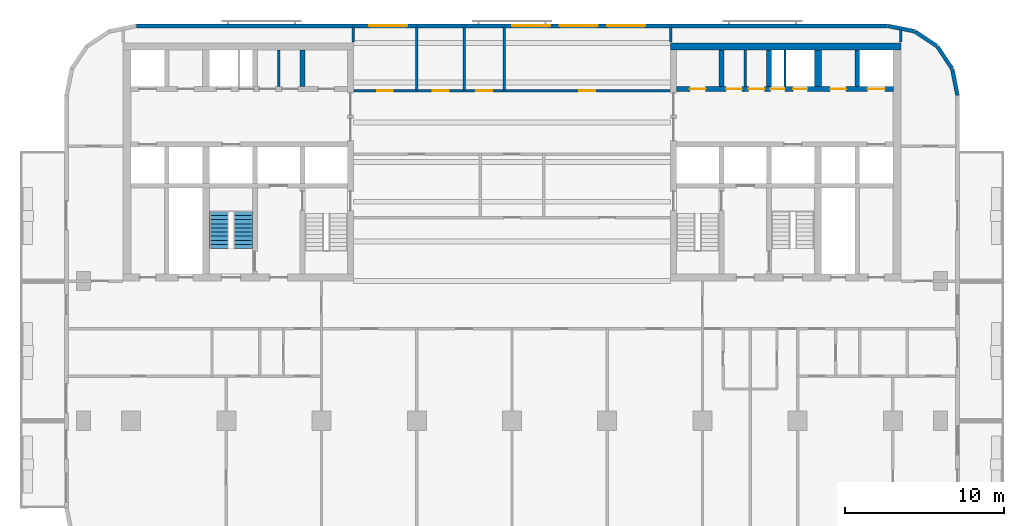
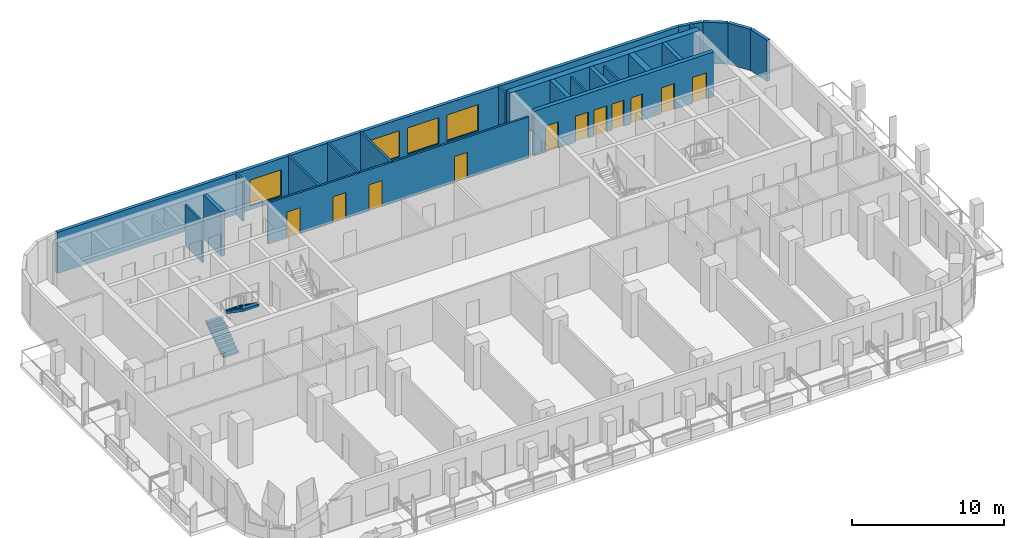
# One storey, part 7 of 11: 22 walls, 11 doors, 4 windows, 2 stair flights, 15 openings, 1 element without a shape of its own.
"""IFC4 building model written with IfcOpenShell, lengths in metres."""

import ifcopenshell
import ifcopenshell.guid

model = None  # the IFC model being written
_history = None  # IfcOwnerHistory: only IFC2X3 demands one
_inside = {}  # id of a spatial element -> (the spatial element, [elements in it])
_under = {}  # id of a project, library or spatial element -> (it, [spatial elements below it])
_declared = {}  # id of a project -> (the project, [libraries it declares])
_typed = {}  # id of a type object -> (the type object, [elements of that type])
_made_of = {}  # id of a material, layer set ... -> (it, [elements and type objects made of it])


def new_model(schema):
    """Start an empty IFC model of exactly this schema.

    Asked for "IFC4X3", IfcOpenShell would pick the latest addendum, in which some entities
    have other attributes; the version numbers below select the first issue.
    IFC2X3 requires an IfcOwnerHistory on every rooted entity: one is made here for all.
    """
    global model, _history
    if schema == "IFC4X3":
        model = ifcopenshell.file(schema_version=(4, 3, 0, 0))
    else:
        model = ifcopenshell.file(schema=schema)
    _inside.clear()
    _under.clear()
    _declared.clear()
    _typed.clear()
    _made_of.clear()
    _history = None
    if model.schema == "IFC2X3":
        org = make("IfcOrganization", Name="unknown")
        user = make(
            "IfcPersonAndOrganization",
            ThePerson=make("IfcPerson", FamilyName="unknown"),
            TheOrganization=org,
        )
        app = make(
            "IfcApplication",
            ApplicationDeveloper=org,
            Version="unknown",
            ApplicationFullName="unknown",
            ApplicationIdentifier="unknown",
        )
        _history = make(
            "IfcOwnerHistory",
            OwningUser=user,
            OwningApplication=app,
            ChangeAction="ADDED",
            CreationDate=0,
        )
    return model


def make(cls, **values):
    """One entity of the class cls with the attributes given. An attribute that is None is left unset."""
    return model.create_entity(
        cls, **{name: value for name, value in values.items() if value is not None}
    )


def rooted(cls, **values):
    """An entity with a GlobalId (a new one), such as an element, a storey or a relation."""
    return make(cls, GlobalId=ifcopenshell.guid.new(), OwnerHistory=_history, **values)


def si_unit(unit_type, name, prefix=None):
    """IfcSIUnit, for example si_unit("LENGTHUNIT", "METRE", prefix="MILLI")."""
    return make("IfcSIUnit", UnitType=unit_type, Prefix=prefix, Name=name)


def assignment(units):
    """IfcUnitAssignment: the units of a project."""
    return None if units is None else make("IfcUnitAssignment", Units=units)


def point(xyz):
    """IfcCartesianPoint."""
    return None if xyz is None else make("IfcCartesianPoint", Coordinates=xyz)


def direction(xyz):
    """IfcDirection."""
    return None if xyz is None else make("IfcDirection", DirectionRatios=xyz)


def frame(location, z_axis=None, x_axis=None):
    """IfcAxis2Placement3D, a coordinate frame: its origin and axes. An axis left out is left unset."""
    return make(
        "IfcAxis2Placement3D",
        Location=point(location),
        Axis=direction(z_axis),
        RefDirection=direction(x_axis),
    )


def frame_2d(location, x_axis=None):
    """IfcAxis2Placement2D, a coordinate frame in the plane: its origin and x axis."""
    return make(
        "IfcAxis2Placement2D", Location=point(location), RefDirection=direction(x_axis)
    )


def origin():
    """The frame at (0, 0, 0) with its axes left unset."""
    return frame((0.0, 0.0, 0.0))


def place(relative_to, where):
    """IfcLocalPlacement: puts the frame where relative to a parent placement (None: the world)."""
    return make(
        "IfcLocalPlacement", PlacementRelTo=relative_to, RelativePlacement=where
    )


def context(
    kind, dimensions, precision=None, world=None, true_north=None, identifier=None
):
    """IfcGeometricRepresentationContext, for example the 3D "Model" context."""
    return make(
        "IfcGeometricRepresentationContext",
        ContextIdentifier=identifier,
        ContextType=kind,
        CoordinateSpaceDimension=dimensions,
        Precision=precision,
        WorldCoordinateSystem=world,
        TrueNorth=true_north,
    )


def subcontext(parent, identifier, kind, view, scale=None):
    """IfcGeometricRepresentationSubContext, for example "Body" below "Model"."""
    return make(
        "IfcGeometricRepresentationSubContext",
        ContextIdentifier=identifier,
        ContextType=kind,
        ParentContext=parent,
        TargetScale=scale,
        TargetView=view,
    )


def project(units=None, contexts=None):
    """IfcProject with its units and contexts."""
    return rooted(
        "IfcProject",
        Name="project",
        RepresentationContexts=contexts,
        UnitsInContext=assignment(units),
    )


def spatial(cls, under=None, at=None, **own):
    """A site, building, storey or space (cls), placed at a placement, below another one or the project."""
    s = rooted(cls, ObjectPlacement=at, **own)
    if under is not None:
        _under.setdefault(under.id(), (under, []))[1].append(s)
    return s


def polyline(points):
    """IfcPolyline through the points."""
    return make("IfcPolyline", Points=[point(p) for p in points])


def profile(cls, at=None, kind="AREA", **sizes):
    """A parametric profile (cls). Its sizes go by their IFC names, for example OverallWidth=200.0."""
    return make(cls, ProfileType=kind, Position=at, **sizes)


def rectangle(**sizes):
    """IfcRectangleProfileDef."""
    return profile("IfcRectangleProfileDef", **sizes)


def outline(outer, holes=None, kind="AREA"):
    """IfcArbitraryClosedProfileDef: a profile drawn as a closed curve; with holes, ...WithVoids."""
    if holes is None:
        return make("IfcArbitraryClosedProfileDef", ProfileType=kind, OuterCurve=outer)
    return make(
        "IfcArbitraryProfileDefWithVoids",
        ProfileType=kind,
        OuterCurve=outer,
        InnerCurves=holes,
    )


def extrude(swept, where, along, depth):
    """IfcExtrudedAreaSolid: the profile swept, set in the frame where, extruded along a direction by depth."""
    return make(
        "IfcExtrudedAreaSolid",
        SweptArea=swept,
        Position=where,
        ExtrudedDirection=direction(along),
        Depth=depth,
    )


def shape(context_of_items, identifier, shape_type, items):
    """IfcShapeRepresentation: the items that make up one representation, for example the "Body"."""
    return make(
        "IfcShapeRepresentation",
        ContextOfItems=context_of_items,
        RepresentationIdentifier=identifier,
        RepresentationType=shape_type,
        Items=items,
    )


def material(Name=None, Category=None):
    """IfcMaterial."""
    return make("IfcMaterial", Name=Name, Category=Category)


def layer(
    of_material, thickness, ventilated=None, Name=None, Category=None, Priority=None
):
    """IfcMaterialLayer: one layer of a wall or slab, of a material (None: an air gap)."""
    return make(
        "IfcMaterialLayer",
        Material=of_material,
        LayerThickness=thickness,
        IsVentilated=ventilated,
        Name=Name,
        Category=Category,
        Priority=Priority,
    )


def layer_set(layers, Name=None):
    """IfcMaterialLayerSet."""
    return make("IfcMaterialLayerSet", MaterialLayers=layers, LayerSetName=Name)


def made_of(thing, what):
    """Note that an element or type object is made of a material, layer set ...; save() writes the relation."""
    if what is not None:
        _made_of.setdefault(what.id(), (what, []))[1].append(thing)
    return thing


def type_object(cls, material=None, **own):
    """A type object (cls), such as IfcWallType, which elements share."""
    return made_of(rooted(cls, **own), material)


def element(
    cls,
    number,
    at=None,
    inside=None,
    cuts=None,
    type_object=None,
    material=None,
    context=None,
    identifier="Body",
    shape_type=None,
    held_by="IfcProductDefinitionShape",
    body=None,
    shapes=None,
    **own,
):
    """One element of the class cls, such as IfcWall. Its Tag is "e" and its number.

    at: its placement. inside: the storey or other place that contains it. cuts: it is an
    opening in that element (IfcRelVoidsElement). A single representation is given by context,
    identifier, shape_type and body (its items); several are given by shapes. held_by: the class
    of the entity that holds the representations. save() writes the other relations.
    """
    e = rooted(cls, Tag="e%d" % number, ObjectPlacement=at, **own)
    if body is not None:
        shapes = [shape(context, identifier, shape_type, body)]
    if shapes is not None:
        e.Representation = make(held_by, Representations=shapes)
    if inside is not None:
        _inside.setdefault(inside.id(), (inside, []))[1].append(e)
    if cuts is not None:
        rooted(
            "IfcRelVoidsElement", RelatingBuildingElement=cuts, RelatedOpeningElement=e
        )
    if type_object is not None:
        _typed.setdefault(type_object.id(), (type_object, []))[1].append(e)
    return made_of(e, material)


def fill(opening, filler):
    """IfcRelFillsElement: the door or window that sits in an opening."""
    return rooted(
        "IfcRelFillsElement",
        RelatingOpeningElement=opening,
        RelatedBuildingElement=filler,
    )


def aggregate(whole, parts):
    """IfcRelAggregates: a whole, such as a stair, and the parts it consists of."""
    return rooted("IfcRelAggregates", RelatingObject=whole, RelatedObjects=parts)


def save(model, path):
    """Write the relations noted so far, then the file.

    IfcRelAggregates (storeys below a building ...), IfcRelContainedInSpatialStructure (elements
    in a storey), IfcRelDefinesByType, IfcRelAssociatesMaterial and IfcRelDeclares: one each for
    every whole, place, type object, material and project.
    """
    for whole, parts in _under.values():
        aggregate(whole, parts)
    for where, things in _inside.values():
        rooted(
            "IfcRelContainedInSpatialStructure",
            RelatedElements=things,
            RelatingStructure=where,
        )
    for kind, things in _typed.values():
        rooted("IfcRelDefinesByType", RelatedObjects=things, RelatingType=kind)
    for what, things in _made_of.values():
        rooted("IfcRelAssociatesMaterial", RelatedObjects=things, RelatingMaterial=what)
    for by, libraries in _declared.values():
        rooted("IfcRelDeclares", RelatingContext=by, RelatedDefinitions=libraries)
    model.write(path)


model = new_model("IFC4")

# Units and contexts
model_context = context("Model", 3, precision=1e-05, world=origin(), true_north=direction((0.0, 1.0)))
body_context = subcontext(model_context, "Body", "Model", "MODEL_VIEW")
ifc_project = project(units=[si_unit("LENGTHUNIT", "METRE"), si_unit("AREAUNIT", "SQUARE_METRE"), si_unit("VOLUMEUNIT", "CUBIC_METRE"), si_unit("PLANEANGLEUNIT", "RADIAN"), si_unit("MASSUNIT", "GRAM", prefix="KILO")], contexts=[model_context])

# Site, building, storey
site_placement = place(None, origin())
site = spatial("IfcSite", under=ifc_project, at=site_placement, CompositionType="ELEMENT")
building_placement = place(site_placement, origin())
building = spatial("IfcBuilding", under=site, at=building_placement, Name="Torana Hotel and Residences", CompositionType="ELEMENT")
storey_placement = place(building_placement, frame((0.0, 0.0, 163.199951171875)))
storey = spatial("IfcBuildingStorey", under=building, at=storey_placement, Name="L42", CompositionType="ELEMENT", Elevation=163.199951171875)

# Wall
ifc_material_1 = material(Name="Concrete C70/85", Category="concrete")
ifc_layer_1 = layer(ifc_material_1, 0.300048828125)
ifc_layer_set_1 = layer_set([ifc_layer_1], Name="CORE WALL 300 C70/85")
wall_type_1 = type_object("IfcWallType", Name="CORE WALL 300 C70/85", PredefinedType="SHEAR", material=ifc_layer_set_1)
wall_1_placement = place(storey_placement, frame((-13.199951171875, -2.75, 0.0), z_axis=(0.0, 0.0, 1.0), x_axis=(0.0, 1.0, 0.0)))
element("IfcWall", 1, at=wall_1_placement, inside=storey, type_object=wall_type_1, Name="Core wall W x3.05-N", PredefinedType="SHEAR", context=body_context, shape_type="SweptSolid", body=[
    extrude(rectangle(XDim=2.300048828125, YDim=0.300048828125, at=frame_2d((1.14990234375, 0.0))), origin(), (0.0, 0.0, 1.0), 3.60009765625),
])

# Wall, openings, doors
wall_2_placement = place(storey_placement, frame((10.35009765625, -2.89990234375, 0.0), z_axis=(0.0, 0.0, 1.0), x_axis=(1.0, 0.0, 0.0)))
wall_2 = element("IfcWall", 2, at=wall_2_placement, inside=storey, type_object=wall_type_1, Name="Core wall E row-N", PredefinedType="SHEAR", context=body_context, shape_type="SweptSolid", body=[
    extrude(rectangle(XDim=13.699951171875, YDim=0.300048828125, at=frame_2d((6.85009765625, 0.0))), origin(), (0.0, 0.0, 1.0), 3.60009765625),
])
opening_1_placement = place(wall_2_placement, frame((12.050048828125, 0.0, 0.0)))
opening_1 = element("IfcOpeningElement", 3, at=opening_1_placement, cuts=wall_2, Name="Opening LD", PredefinedType="OPENING", context=body_context, shape_type="SweptSolid", body=[
    extrude(rectangle(XDim=1.10009765625, YDim=2.10009765625, at=frame_2d((0.550048828125, 1.050048828125))), frame((0.0, 0.159912109375, 0.0), z_axis=(0.0, -1.0, 0.0), x_axis=(1.0, 0.0, 0.0)), (0.0, 0.0, 1.0), 0.320068359375),
])
opening_2_placement = place(wall_2_placement, frame((5.9375, 0.0, 0.0)))
opening_2 = element("IfcOpeningElement", 4, at=opening_2_placement, cuts=wall_2, Name="Opening L42-23", PredefinedType="OPENING", context=body_context, shape_type="SweptSolid", body=[
    extrude(rectangle(XDim=0.89990234375, YDim=2.10009765625, at=frame_2d((0.449951171875, 1.050048828125))), frame((0.0, 0.159912109375, 0.0), z_axis=(0.0, -1.0, 0.0), x_axis=(1.0, 0.0, 0.0)), (0.0, 0.0, 1.0), 0.320068359375),
])
opening_3_placement = place(wall_2_placement, frame((7.362548828125, 0.0, 0.0)))
opening_3 = element("IfcOpeningElement", 5, at=opening_3_placement, cuts=wall_2, Name="Opening L42-24", PredefinedType="OPENING", context=body_context, shape_type="SweptSolid", body=[
    extrude(rectangle(XDim=0.89990234375, YDim=2.10009765625, at=frame_2d((0.449951171875, 1.050048828125))), frame((0.0, 0.159912109375, 0.0), z_axis=(0.0, -1.0, 0.0), x_axis=(1.0, 0.0, 0.0)), (0.0, 0.0, 1.0), 0.320068359375),
])
opening_4_placement = place(wall_2_placement, frame((0.85009765625, 0.0, 0.0)))
opening_4 = element("IfcOpeningElement", 6, at=opening_4_placement, cuts=wall_2, Name="Opening L42-25", PredefinedType="OPENING", context=body_context, shape_type="SweptSolid", body=[
    extrude(rectangle(XDim=1.0, YDim=2.10009765625, at=frame_2d((0.5, 1.050048828125))), frame((0.0, 0.159912109375, 0.0), z_axis=(0.0, -1.0, 0.0), x_axis=(1.0, 0.0, 0.0)), (0.0, 0.0, 1.0), 0.320068359375),
])
opening_5_placement = place(wall_2_placement, frame((3.137451171875, 0.0, 0.0)))
opening_5 = element("IfcOpeningElement", 7, at=opening_5_placement, cuts=wall_2, Name="Opening L42-26", PredefinedType="OPENING", context=body_context, shape_type="SweptSolid", body=[
    extrude(rectangle(XDim=1.0, YDim=2.10009765625, at=frame_2d((0.5, 1.050048828125))), frame((0.0, 0.159912109375, 0.0), z_axis=(0.0, -1.0, 0.0), x_axis=(1.0, 0.0, 0.0)), (0.0, 0.0, 1.0), 0.320068359375),
])
opening_6_placement = place(wall_2_placement, frame((4.5625, 0.0, 0.0)))
opening_6 = element("IfcOpeningElement", 8, at=opening_6_placement, cuts=wall_2, Name="Opening L42-27", PredefinedType="OPENING", context=body_context, shape_type="SweptSolid", body=[
    extrude(rectangle(XDim=1.0, YDim=2.10009765625, at=frame_2d((0.5, 1.050048828125))), frame((0.0, 0.159912109375, 0.0), z_axis=(0.0, -1.0, 0.0), x_axis=(1.0, 0.0, 0.0)), (0.0, 0.0, 1.0), 0.320068359375),
])
opening_7_placement = place(wall_2_placement, frame((9.699951171875, 0.0, 0.0)))
opening_7 = element("IfcOpeningElement", 9, at=opening_7_placement, cuts=wall_2, Name="Opening L42-28", PredefinedType="OPENING", context=body_context, shape_type="SweptSolid", body=[
    extrude(rectangle(XDim=1.0, YDim=2.10009765625, at=frame_2d((0.5, 1.050048828125))), frame((0.0, 0.159912109375, 0.0), z_axis=(0.0, -1.0, 0.0), x_axis=(1.0, 0.0, 0.0)), (0.0, 0.0, 1.0), 0.320068359375),
])
ifc_material_2 = material(Name="Steel S235", Category="steel")
door_type_1 = type_object("IfcDoorType", Name="CORE ROOM FIRE DOOR D14 1000x2100", OperationType="SINGLE_SWING_LEFT", PredefinedType="DOOR", material=ifc_material_2)
door_1_placement = place(opening_4_placement, origin())
door_1 = element("IfcDoor", 10, at=door_1_placement, inside=storey, type_object=door_type_1, Name="N0 door L42", OperationType="SINGLE_SWING_RIGHT", OverallHeight=2.10009765625, OverallWidth=1.0, PredefinedType="DOOR", context=body_context, shape_type="SweptSolid", body=[
    extrude(rectangle(XDim=1.0, YDim=2.10009765625, at=frame_2d((0.5, 1.050048828125))), frame((0.0, 0.02490234375, 0.0), z_axis=(0.0, -1.0, 0.0), x_axis=(1.0, 0.0, 0.0)), (0.0, 0.0, 1.0), 0.050048828125),
])
fill(opening_4, door_1)
door_2_placement = place(opening_5_placement, origin())
door_2 = element("IfcDoor", 11, at=door_2_placement, inside=storey, type_object=door_type_1, Name="N1A door L42", OperationType="SINGLE_SWING_RIGHT", OverallHeight=2.10009765625, OverallWidth=1.0, PredefinedType="DOOR", context=body_context, shape_type="SweptSolid", body=[
    extrude(rectangle(XDim=1.0, YDim=2.10009765625, at=frame_2d((0.5, 1.050048828125))), frame((0.0, 0.02490234375, 0.0), z_axis=(0.0, -1.0, 0.0), x_axis=(1.0, 0.0, 0.0)), (0.0, 0.0, 1.0), 0.050048828125),
])
fill(opening_5, door_2)
door_3_placement = place(opening_6_placement, origin())
door_3 = element("IfcDoor", 12, at=door_3_placement, inside=storey, type_object=door_type_1, Name="N1B door L42", OperationType="SINGLE_SWING_RIGHT", OverallHeight=2.10009765625, OverallWidth=1.0, PredefinedType="DOOR", context=body_context, shape_type="SweptSolid", body=[
    extrude(rectangle(XDim=1.0, YDim=2.10009765625, at=frame_2d((0.5, 1.050048828125))), frame((0.0, 0.02490234375, 0.0), z_axis=(0.0, -1.0, 0.0), x_axis=(1.0, 0.0, 0.0)), (0.0, 0.0, 1.0), 0.050048828125),
])
fill(opening_6, door_3)
door_4_placement = place(opening_7_placement, origin())
door_4 = element("IfcDoor", 13, at=door_4_placement, inside=storey, type_object=door_type_1, Name="Freed-S2 door L42", OperationType="SINGLE_SWING_RIGHT", OverallHeight=2.10009765625, OverallWidth=1.0, PredefinedType="DOOR", context=body_context, shape_type="SweptSolid", body=[
    extrude(rectangle(XDim=1.0, YDim=2.10009765625, at=frame_2d((0.5, 1.050048828125))), frame((0.0, 0.02490234375, 0.0), z_axis=(0.0, -1.0, 0.0), x_axis=(1.0, 0.0, 0.0)), (0.0, 0.0, 1.0), 0.050048828125),
])
fill(opening_7, door_4)
ifc_material_3 = material(Name="Stainless steel 316", Category="steel")
door_type_2 = type_object("IfcDoorType", Name="LIFT LANDING DOOR LD 1100x2100", OperationType="DOUBLE_DOOR_SLIDING", PredefinedType="USERDEFINED", material=ifc_material_3)
door_5_placement = place(opening_1_placement, origin())
door_5 = element("IfcDoor", 14, at=door_5_placement, inside=storey, type_object=door_type_2, Name="Lift landing door M3 L42", ObjectType="LIFT LANDING DOOR", OperationType="DOUBLE_DOOR_SLIDING", OverallHeight=2.10009765625, OverallWidth=1.10009765625, PredefinedType="USERDEFINED", context=body_context, shape_type="SweptSolid", body=[
    extrude(rectangle(XDim=1.10009765625, YDim=2.10009765625, at=frame_2d((0.550048828125, 1.050048828125))), frame((0.0, 0.02490234375, 0.0), z_axis=(0.0, -1.0, 0.0), x_axis=(1.0, 0.0, 0.0)), (0.0, 0.0, 1.0), 0.050048828125),
])
fill(opening_1, door_5)
ifc_material_4 = material(Name="Steel S235", Category="steel")
door_type_3 = type_object("IfcDoorType", Name="RISER ACCESS DOOR D5 900x2100", OperationType="SINGLE_SWING_LEFT", PredefinedType="DOOR", material=ifc_material_4)
door_6_placement = place(opening_2_placement, origin())
door_6 = element("IfcDoor", 15, at=door_6_placement, inside=storey, type_object=door_type_3, Name="N2A door L42", OperationType="SINGLE_SWING_RIGHT", OverallHeight=2.10009765625, OverallWidth=0.89990234375, PredefinedType="DOOR", context=body_context, shape_type="SweptSolid", body=[
    extrude(rectangle(XDim=0.89990234375, YDim=2.10009765625, at=frame_2d((0.449951171875, 1.050048828125))), frame((0.0, 0.02490234375, 0.0), z_axis=(0.0, -1.0, 0.0), x_axis=(1.0, 0.0, 0.0)), (0.0, 0.0, 1.0), 0.050048828125),
])
fill(opening_2, door_6)
door_7_placement = place(opening_3_placement, origin())
door_7 = element("IfcDoor", 16, at=door_7_placement, inside=storey, type_object=door_type_3, Name="N2B door L42", OperationType="SINGLE_SWING_RIGHT", OverallHeight=2.10009765625, OverallWidth=0.89990234375, PredefinedType="DOOR", context=body_context, shape_type="SweptSolid", body=[
    extrude(rectangle(XDim=0.89990234375, YDim=2.10009765625, at=frame_2d((0.449951171875, 1.050048828125))), frame((0.0, 0.02490234375, 0.0), z_axis=(0.0, -1.0, 0.0), x_axis=(1.0, 0.0, 0.0)), (0.0, 0.0, 1.0), 0.050048828125),
])
fill(opening_3, door_7)

# Walls
for number, where, z_axis, x_axis, name in (
    (17, (13.199951171875, -2.75, 0.0), (0.0, 0.0, 1.0), (0.0, 1.0, 0.0), "Core wall E x3.05-N"),
    (18, (16.199951171875, -2.75, 0.0), (0.0, 0.0, 1.0), (0.0, 1.0, 0.0), "Core wall E x6.05-N"),
    (19, (21.75, -2.75, 0.0), (0.0, 0.0, 1.0), (0.0, 1.0, 0.0), "Core wall E mm-N"),
):
    element("IfcWall", number, at=place(storey_placement, frame(where, z_axis=z_axis, x_axis=x_axis)), inside=storey, type_object=wall_type_1, Name=name, PredefinedType="SHEAR", context=body_context, shape_type="SweptSolid", body=[
        extrude(rectangle(XDim=2.300048828125, YDim=0.300048828125, at=frame_2d((1.14990234375, 0.0))), origin(), (0.0, 0.0, 1.0), 3.60009765625),
    ])
ifc_material_5 = material(Name="Concrete C70/85", Category="concrete")
ifc_layer_2 = layer(ifc_material_5, 0.449951171875)
ifc_layer_set_2 = layer_set([ifc_layer_2], Name="CORE WALL 450 C70/85")
wall_type_2 = type_object("IfcWallType", Name="CORE WALL 450 C70/85", PredefinedType="SHEAR", material=ifc_layer_set_2)
wall_3_placement = place(storey_placement, frame((10.0, -0.22509765625, 0.0), z_axis=(0.0, 0.0, 1.0), x_axis=(1.0, 0.0, 0.0)))
element("IfcWall", 20, at=wall_3_placement, inside=storey, type_object=wall_type_2, Name="Core wall E rear", PredefinedType="SHEAR", context=body_context, shape_type="SweptSolid", body=[
    extrude(rectangle(XDim=14.5, YDim=0.449951171875, at=frame_2d((7.25, 0.0))), origin(), (0.0, 0.0, 1.0), 3.60009765625),
])
wall_4_placement = place(storey_placement, frame((19.27490234375, -2.75, 0.0), z_axis=(0.0, 0.0, 1.0), x_axis=(0.0, 1.0, 0.0)))
element("IfcWall", 21, at=wall_4_placement, inside=storey, type_object=wall_type_2, Name="Core wall E hm-N", PredefinedType="SHEAR", context=body_context, shape_type="SweptSolid", body=[
    extrude(rectangle(XDim=2.300048828125, YDim=0.449951171875, at=frame_2d((1.14990234375, 0.0))), origin(), (0.0, 0.0, 1.0), 3.60009765625),
])
ifc_material_6 = material(Name="Black aluminium composite panel", Category="aluminium")
ifc_layer_3 = layer(ifc_material_6, 0.00390625, Name="Cladding", Category="cladding")
ifc_material_7 = material(Name="Ventilated air cavity")
ifc_layer_4 = layer(ifc_material_7, 0.0400390625, Name="Ventilated cavity", Category="cavity")
ifc_material_8 = material(Name="Mineral wool insulation")
ifc_layer_5 = layer(ifc_material_8, 0.090087890625, Name="Insulation", Category="insulation")
ifc_material_9 = material(Name="Steel S280GD", Category="steel")
ifc_layer_6 = layer(ifc_material_9, 0.092041015625, Name="Steel stud frame", Category="structure")
ifc_material_10 = material(Name="Fire rated plasterboard")
ifc_layer_7 = layer(ifc_material_10, 0.011962890625, Name="Inner board", Category="finish")
ifc_layer_8 = layer(ifc_material_10, 0.011962890625, Name="Second board", Category="finish")
ifc_layer_set_3 = layer_set([ifc_layer_3, ifc_layer_4, ifc_layer_5, ifc_layer_6, ifc_layer_7, ifc_layer_8], Name="EW1 EXTERNAL WALL BLACK METAL CLAD 250")
wall_type_3 = type_object("IfcWallType", Name="EW1 EXTERNAL WALL BLACK METAL CLAD 250", PredefinedType="SOLIDWALL", material=ifc_layer_set_3)
wall_5_placement = place(storey_placement, frame((28.072509765625, -3.30029296875, 0.0), z_axis=(0.0, 0.0, 1.0), x_axis=(-0.194999110559, 0.980803419081, 0.0)))
element("IfcWall", 22, at=wall_5_placement, inside=storey, type_object=wall_type_3, Name="External wall L42 e0.0", PredefinedType="SOLIDWALL", context=body_context, shape_type="SweptSolid", body=[
    extrude(rectangle(XDim=1.681396484375, YDim=0.25, at=frame_2d((0.8408203125, 0.0))), origin(), (0.0, 0.0, 1.0), 3.320068359375),
])
for number, where, z_axis, x_axis, name in (
    (23, (27.725830078125, -1.60595703125, 0.0), (0.0, 0.0, 1.0), (-0.55555029066, 0.831482937015, 0.0), "External wall L42 e0.1"),
    (24, (26.771240234375, -0.1943359375, 0.0), (0.0, 0.0, 1.0), (-0.831482937015, 0.55555029066, 0.0), "External wall L42 e0.2"),
):
    element("IfcWall", number, at=place(storey_placement, frame(where, z_axis=z_axis, x_axis=x_axis)), inside=storey, type_object=wall_type_3, Name=name, PredefinedType="SOLIDWALL", context=body_context, shape_type="SweptSolid", body=[
        extrude(rectangle(XDim=1.65625, YDim=0.25, at=frame_2d((0.828125, 0.0))), origin(), (0.0, 0.0, 1.0), 3.320068359375),
    ])
wall_6_placement = place(storey_placement, frame((25.348876953125, 0.74462890625, 0.0), z_axis=(0.0, 0.0, 1.0), x_axis=(-0.980803419081, 0.194999110559, 0.0)))
element("IfcWall", 25, at=wall_6_placement, inside=storey, type_object=wall_type_3, Name="External wall L42 e0.3", PredefinedType="SOLIDWALL", context=body_context, shape_type="SweptSolid", body=[
    extrude(rectangle(XDim=1.681396484375, YDim=0.25, at=frame_2d((0.8408203125, 0.0))), origin(), (0.0, 0.0, 1.0), 3.320068359375),
])

# Wall, openings, windows
ifc_material_11 = material(Name="Concrete C40/50 precast", Category="concrete")
ifc_layer_9 = layer(ifc_material_11, 0.10009765625, Name="Perforated block", Category="cladding")
ifc_material_12 = material(Name="Air cavity")
ifc_layer_10 = layer(ifc_material_12, 0.030029296875, Name="Cavity", Category="cavity")
ifc_material_13 = material(Name="Concrete C40/50", Category="concrete")
ifc_layer_11 = layer(ifc_material_13, 0.10009765625, Name="Wall", Category="structure")
ifc_material_14 = material(Name="Plaster and paint")
ifc_layer_12 = layer(ifc_material_14, 0.02001953125, Name="Inner finish", Category="finish")
ifc_layer_set_4 = layer_set([ifc_layer_9, ifc_layer_10, ifc_layer_11, ifc_layer_12], Name="EW2 PERFORATED BLOCK SCREEN WALL 250")
wall_type_4 = type_object("IfcWallType", Name="EW2 PERFORATED BLOCK SCREEN WALL 250", PredefinedType="SOLIDWALL", material=ifc_layer_set_4)
wall_7_placement = place(storey_placement, frame((23.67529296875, 1.074951171875, 0.0), z_axis=(0.0, 0.0, 1.0), x_axis=(-1.0, 0.0, 0.0)))
wall_7 = element("IfcWall", 26, at=wall_7_placement, inside=storey, type_object=wall_type_4, Name="External wall L42 e0.4", PredefinedType="SOLIDWALL", context=body_context, shape_type="SweptSolid", body=[
    extrude(rectangle(XDim=47.3505859375, YDim=0.25, at=frame_2d((23.67529296875, 0.0))), origin(), (0.0, 0.0, 1.0), 3.320068359375),
])
opening_8_placement = place(wall_7_placement, frame((15.275390625, 0.0, 0.300048828125)))
opening_8 = element("IfcOpeningElement", 27, at=opening_8_placement, cuts=wall_7, Name="Opening W1", PredefinedType="OPENING", context=body_context, shape_type="SweptSolid", body=[
    extrude(rectangle(XDim=2.39990234375, YDim=2.10009765625, at=frame_2d((1.199951171875, 1.050048828125))), frame((0.0, 0.135009765625, 0.0), z_axis=(0.0, -1.0, 0.0), x_axis=(1.0, 0.0, 0.0)), (0.0, 0.0, 1.0), 0.27001953125),
])
opening_9_placement = place(wall_7_placement, frame((18.275390625, 0.0, 0.300048828125)))
opening_9 = element("IfcOpeningElement", 28, at=opening_9_placement, cuts=wall_7, Name="Opening W1", PredefinedType="OPENING", context=body_context, shape_type="SweptSolid", body=[
    extrude(rectangle(XDim=2.39990234375, YDim=2.10009765625, at=frame_2d((1.199951171875, 1.050048828125))), frame((0.0, 0.135009765625, 0.0), z_axis=(0.0, -1.0, 0.0), x_axis=(1.0, 0.0, 0.0)), (0.0, 0.0, 1.0), 0.27001953125),
])
opening_10_placement = place(wall_7_placement, frame((21.275390625, 0.0, 0.300048828125)))
opening_10 = element("IfcOpeningElement", 29, at=opening_10_placement, cuts=wall_7, Name="Opening W1", PredefinedType="OPENING", context=body_context, shape_type="SweptSolid", body=[
    extrude(rectangle(XDim=2.39990234375, YDim=2.10009765625, at=frame_2d((1.199951171875, 1.050048828125))), frame((0.0, 0.135009765625, 0.0), z_axis=(0.0, -1.0, 0.0), x_axis=(1.0, 0.0, 0.0)), (0.0, 0.0, 1.0), 0.27001953125),
])
opening_11_placement = place(wall_7_placement, frame((30.275390625, 0.0, 0.300048828125)))
opening_11 = element("IfcOpeningElement", 30, at=opening_11_placement, cuts=wall_7, Name="Opening W1", PredefinedType="OPENING", context=body_context, shape_type="SweptSolid", body=[
    extrude(rectangle(XDim=2.39990234375, YDim=2.10009765625, at=frame_2d((1.199951171875, 1.050048828125))), frame((0.0, 0.135009765625, 0.0), z_axis=(0.0, -1.0, 0.0), x_axis=(1.0, 0.0, 0.0)), (0.0, 0.0, 1.0), 0.27001953125),
])
ifc_material_15 = material(Name="Dark glass in black aluminium frame", Category="aluminium")
window_type = type_object("IfcWindowType", Name="W1 HOTEL ROOM WINDOW 2400x2100", PartitioningType="SINGLE_PANEL", PredefinedType="WINDOW", material=ifc_material_15)
window_1_placement = place(opening_8_placement, origin())
window_1 = element("IfcWindow", 31, at=window_1_placement, inside=storey, type_object=window_type, Name="Window L42", OverallHeight=2.10009765625, OverallWidth=2.39990234375, PartitioningType="SINGLE_PANEL", PredefinedType="WINDOW", context=body_context, shape_type="SweptSolid", body=[
    extrude(rectangle(XDim=2.39990234375, YDim=2.10009765625, at=frame_2d((1.199951171875, 1.050048828125))), frame((0.0, 0.030029296875, 0.0), z_axis=(0.0, -1.0, 0.0), x_axis=(1.0, 0.0, 0.0)), (0.0, 0.0, 1.0), 0.06005859375),
])
fill(opening_8, window_1)
window_2_placement = place(opening_9_placement, origin())
window_2 = element("IfcWindow", 32, at=window_2_placement, inside=storey, type_object=window_type, Name="Window L42", OverallHeight=2.10009765625, OverallWidth=2.39990234375, PartitioningType="SINGLE_PANEL", PredefinedType="WINDOW", context=body_context, shape_type="SweptSolid", body=[
    extrude(rectangle(XDim=2.39990234375, YDim=2.10009765625, at=frame_2d((1.199951171875, 1.050048828125))), frame((0.0, 0.030029296875, 0.0), z_axis=(0.0, -1.0, 0.0), x_axis=(1.0, 0.0, 0.0)), (0.0, 0.0, 1.0), 0.06005859375),
])
fill(opening_9, window_2)
window_3_placement = place(opening_10_placement, origin())
window_3 = element("IfcWindow", 33, at=window_3_placement, inside=storey, type_object=window_type, Name="Window L42", OverallHeight=2.10009765625, OverallWidth=2.39990234375, PartitioningType="SINGLE_PANEL", PredefinedType="WINDOW", context=body_context, shape_type="SweptSolid", body=[
    extrude(rectangle(XDim=2.39990234375, YDim=2.10009765625, at=frame_2d((1.199951171875, 1.050048828125))), frame((0.0, 0.030029296875, 0.0), z_axis=(0.0, -1.0, 0.0), x_axis=(1.0, 0.0, 0.0)), (0.0, 0.0, 1.0), 0.06005859375),
])
fill(opening_10, window_3)
window_4_placement = place(opening_11_placement, origin())
window_4 = element("IfcWindow", 34, at=window_4_placement, inside=storey, type_object=window_type, Name="Window L42", OverallHeight=2.10009765625, OverallWidth=2.39990234375, PartitioningType="SINGLE_PANEL", PredefinedType="WINDOW", context=body_context, shape_type="SweptSolid", body=[
    extrude(rectangle(XDim=2.39990234375, YDim=2.10009765625, at=frame_2d((1.199951171875, 1.050048828125))), frame((0.0, 0.030029296875, 0.0), z_axis=(0.0, -1.0, 0.0), x_axis=(1.0, 0.0, 0.0)), (0.0, 0.0, 1.0), 0.06005859375),
])
fill(opening_11, window_4)

# Walls
ifc_material_16 = material(Name="Gypsum plaster")
ifc_layer_13 = layer(ifc_material_16, 0.014892578125, Name="Plaster", Category="finish")
ifc_material_17 = material(Name="Concrete blockwork", Category="masonry")
ifc_layer_14 = layer(ifc_material_17, 0.1201171875, Name="Blockwork", Category="structure")
ifc_layer_15 = layer(ifc_material_16, 0.014892578125, Name="Plaster", Category="finish")
ifc_layer_set_5 = layer_set([ifc_layer_13, ifc_layer_14, ifc_layer_15], Name="FIRE PARTITION 150 BLOCKWORK")
wall_type_5 = type_object("IfcWallType", Name="FIRE PARTITION 150 BLOCKWORK", PredefinedType="PARTITIONING", material=ifc_layer_set_5)
for number, where, z_axis, x_axis, name in (
    (35, (-14.699951171875, -2.75, 0.0), (0.0, 0.0, 1.0), (0.0, 1.0, 0.0), "Core partition L42"),
    (36, (17.199951171875, -2.75, 0.0), (0.0, 0.0, 1.0), (0.0, 1.0, 0.0), "Core partition L42"),
    (37, (14.699951171875, -2.75, 0.0), (0.0, 0.0, 1.0), (0.0, 1.0, 0.0), "Core partition L42"),
):
    element("IfcWall", number, at=place(storey_placement, frame(where, z_axis=z_axis, x_axis=x_axis)), inside=storey, type_object=wall_type_5, Name=name, PredefinedType="PARTITIONING", context=body_context, shape_type="SweptSolid", body=[
        extrude(rectangle(XDim=2.300048828125, YDim=0.14990234375, at=frame_2d((1.14990234375, 0.0))), origin(), (0.0, 0.0, 1.0), 3.300048828125),
    ])

# Wall, openings, doors
wall_8_placement = place(storey_placement, frame((-9.949951171875, -3.0, 0.0), z_axis=(0.0, 0.0, 1.0), x_axis=(1.0, 0.0, 0.0)))
wall_8 = element("IfcWall", 38, at=wall_8_placement, inside=storey, type_object=wall_type_5, Name="Partition L42", PredefinedType="PARTITIONING", context=body_context, shape_type="SweptSolid", body=[
    extrude(rectangle(XDim=19.89990234375, YDim=0.14990234375, at=frame_2d((9.949951171875, 0.0))), origin(), (0.0, 0.0, 1.0), 3.320068359375),
])
opening_12_placement = place(wall_8_placement, frame((1.449951171875, 0.0, 0.0)))
opening_12 = element("IfcOpeningElement", 39, at=opening_12_placement, cuts=wall_8, Name="Opening L42-47", PredefinedType="OPENING", context=body_context, shape_type="SweptSolid", body=[
    extrude(rectangle(XDim=1.0, YDim=2.10009765625, at=frame_2d((0.5, 1.050048828125))), frame((0.0, 0.0849609375, 0.0), z_axis=(0.0, -1.0, 0.0), x_axis=(1.0, 0.0, 0.0)), (0.0, 0.0, 1.0), 0.169921875),
])
opening_13_placement = place(wall_8_placement, frame((4.949951171875, 0.0, 0.0)))
opening_13 = element("IfcOpeningElement", 40, at=opening_13_placement, cuts=wall_8, Name="Opening L42-48", PredefinedType="OPENING", context=body_context, shape_type="SweptSolid", body=[
    extrude(rectangle(XDim=1.0, YDim=2.10009765625, at=frame_2d((0.5, 1.050048828125))), frame((0.0, 0.0849609375, 0.0), z_axis=(0.0, -1.0, 0.0), x_axis=(1.0, 0.0, 0.0)), (0.0, 0.0, 1.0), 0.169921875),
])
opening_14_placement = place(wall_8_placement, frame((7.699951171875, 0.0, 0.0)))
opening_14 = element("IfcOpeningElement", 41, at=opening_14_placement, cuts=wall_8, Name="Opening L42-49", PredefinedType="OPENING", context=body_context, shape_type="SweptSolid", body=[
    extrude(rectangle(XDim=1.0, YDim=2.10009765625, at=frame_2d((0.5, 1.050048828125))), frame((0.0, 0.0849609375, 0.0), z_axis=(0.0, -1.0, 0.0), x_axis=(1.0, 0.0, 0.0)), (0.0, 0.0, 1.0), 0.169921875),
])
opening_15_placement = place(wall_8_placement, frame((14.199951171875, 0.0, 0.0)))
opening_15 = element("IfcOpeningElement", 42, at=opening_15_placement, cuts=wall_8, Name="Opening L42-50", PredefinedType="OPENING", context=body_context, shape_type="SweptSolid", body=[
    extrude(rectangle(XDim=1.0, YDim=2.10009765625, at=frame_2d((0.5, 1.050048828125))), frame((0.0, 0.0849609375, 0.0), z_axis=(0.0, -1.0, 0.0), x_axis=(1.0, 0.0, 0.0)), (0.0, 0.0, 1.0), 0.169921875),
])
ifc_material_18 = material(Name="Steel S235", Category="steel")
door_type_4 = type_object("IfcDoorType", Name="ENTRY FIRE DOOR D6 1000x2100", OperationType="SINGLE_SWING_LEFT", PredefinedType="DOOR", material=ifc_material_18)
door_8_placement = place(opening_12_placement, origin())
door_8 = element("IfcDoor", 43, at=door_8_placement, inside=storey, type_object=door_type_4, Name="Door L42", OperationType="SINGLE_SWING_RIGHT", OverallHeight=2.10009765625, OverallWidth=1.0, PredefinedType="DOOR", context=body_context, shape_type="SweptSolid", body=[
    extrude(rectangle(XDim=1.0, YDim=2.10009765625, at=frame_2d((0.5, 1.050048828125))), frame((0.0, 0.02490234375, 0.0), z_axis=(0.0, -1.0, 0.0), x_axis=(1.0, 0.0, 0.0)), (0.0, 0.0, 1.0), 0.050048828125),
])
fill(opening_12, door_8)
door_9_placement = place(opening_13_placement, origin())
door_9 = element("IfcDoor", 44, at=door_9_placement, inside=storey, type_object=door_type_4, Name="Door L42", OperationType="SINGLE_SWING_RIGHT", OverallHeight=2.10009765625, OverallWidth=1.0, PredefinedType="DOOR", context=body_context, shape_type="SweptSolid", body=[
    extrude(rectangle(XDim=1.0, YDim=2.10009765625, at=frame_2d((0.5, 1.050048828125))), frame((0.0, 0.02490234375, 0.0), z_axis=(0.0, -1.0, 0.0), x_axis=(1.0, 0.0, 0.0)), (0.0, 0.0, 1.0), 0.050048828125),
])
fill(opening_13, door_9)
door_10_placement = place(opening_14_placement, origin())
door_10 = element("IfcDoor", 45, at=door_10_placement, inside=storey, type_object=door_type_4, Name="Door L42", OperationType="SINGLE_SWING_RIGHT", OverallHeight=2.10009765625, OverallWidth=1.0, PredefinedType="DOOR", context=body_context, shape_type="SweptSolid", body=[
    extrude(rectangle(XDim=1.0, YDim=2.10009765625, at=frame_2d((0.5, 1.050048828125))), frame((0.0, 0.02490234375, 0.0), z_axis=(0.0, -1.0, 0.0), x_axis=(1.0, 0.0, 0.0)), (0.0, 0.0, 1.0), 0.050048828125),
])
fill(opening_14, door_10)
door_11_placement = place(opening_15_placement, origin())
door_11 = element("IfcDoor", 46, at=door_11_placement, inside=storey, type_object=door_type_4, Name="Door L42", OperationType="SINGLE_SWING_RIGHT", OverallHeight=2.10009765625, OverallWidth=1.0, PredefinedType="DOOR", context=body_context, shape_type="SweptSolid", body=[
    extrude(rectangle(XDim=1.0, YDim=2.10009765625, at=frame_2d((0.5, 1.050048828125))), frame((0.0, 0.02490234375, 0.0), z_axis=(0.0, -1.0, 0.0), x_axis=(1.0, 0.0, 0.0)), (0.0, 0.0, 1.0), 0.050048828125),
])
fill(opening_15, door_11)

# Walls
ifc_material_19 = material(Name="Gypsum plasterboard")
ifc_layer_16 = layer(ifc_material_19, 0.012451171875, Name="Plasterboard", Category="finish")
ifc_layer_17 = layer(ifc_material_19, 0.012451171875, Name="Plasterboard", Category="finish")
ifc_layer_18 = layer(ifc_material_9, 0.10009765625, Name="Steel studs with mineral wool", Category="insulation")
ifc_layer_19 = layer(ifc_material_19, 0.012451171875, Name="Plasterboard", Category="finish")
ifc_layer_20 = layer(ifc_material_19, 0.012451171875, Name="Plasterboard", Category="finish")
ifc_layer_set_6 = layer_set([ifc_layer_16, ifc_layer_17, ifc_layer_18, ifc_layer_19, ifc_layer_20], Name="PARTITION 150 PLASTERBOARD")
wall_type_6 = type_object("IfcWallType", Name="PARTITION 150 PLASTERBOARD", PredefinedType="PARTITIONING", material=ifc_layer_set_6)
wall_9_placement = place(storey_placement, frame((24.5, 0.050048828125, 0.0), z_axis=(0.0, 0.0, 1.0), x_axis=(0.0, 1.0, 0.0)))
element("IfcWall", 47, at=wall_9_placement, inside=storey, type_object=wall_type_6, Name="Partition L42", PredefinedType="PARTITIONING", context=body_context, shape_type="SweptSolid", body=[
    extrude(rectangle(XDim=0.807373046875, YDim=0.14990234375, at=frame_2d((0.40380859375, 0.0))), origin(), (0.0, 0.0, 1.0), 3.320068359375),
])
for number, where, z_axis, x_axis, name in (
    (48, (10.0, 0.050048828125, 0.0), (0.0, 0.0, 1.0), (0.0, 1.0, 0.0), "Partition L42"),
    (49, (-10.0, 0.050048828125, 0.0), (0.0, 0.0, 1.0), (0.0, 1.0, 0.0), "Partition L42"),
):
    element("IfcWall", number, at=place(storey_placement, frame(where, z_axis=z_axis, x_axis=x_axis)), inside=storey, type_object=wall_type_6, Name=name, PredefinedType="PARTITIONING", context=body_context, shape_type="SweptSolid", body=[
        extrude(rectangle(XDim=0.969970703125, YDim=0.14990234375, at=frame_2d((0.48486328125, 0.0))), origin(), (0.0, 0.0, 1.0), 3.320068359375),
    ])
ifc_material_20 = material(Name="Ceramic tile on adhesive")
ifc_layer_21 = layer(ifc_material_20, 0.010009765625, Name="Wall tile", Category="finish")
ifc_material_21 = material(Name="Cement render")
ifc_layer_22 = layer(ifc_material_21, 0.010009765625, Name="Render", Category="finish")
ifc_layer_23 = layer(ifc_material_17, 0.110107421875, Name="Blockwork", Category="structure")
ifc_layer_24 = layer(ifc_material_21, 0.010009765625, Name="Render", Category="finish")
ifc_layer_25 = layer(ifc_material_20, 0.010009765625, Name="Wall tile", Category="finish")
ifc_layer_set_7 = layer_set([ifc_layer_21, ifc_layer_22, ifc_layer_23, ifc_layer_24, ifc_layer_25], Name="WC PARTITION 150")
wall_type_7 = type_object("IfcWallType", Name="WC PARTITION 150", PredefinedType="PLUMBINGWALL", material=ifc_layer_set_7)
for number, where, z_axis, x_axis, name in (
    (50, (-0.5, -3.0, 0.0), (0.0, 0.0, 1.0), (0.0, 1.0, 0.0), "Partition L42"),
    (51, (-3.0, -3.0, 0.0), (0.0, 0.0, 1.0), (0.0, 1.0, 0.0), "Partition L42"),
    (52, (-6.0, -3.0, 0.0), (0.0, 0.0, 1.0), (0.0, 1.0, 0.0), "Partition L42"),
):
    element("IfcWall", number, at=place(storey_placement, frame(where, z_axis=z_axis, x_axis=x_axis)), inside=storey, type_object=wall_type_7, Name=name, PredefinedType="PLUMBINGWALL", context=body_context, shape_type="SweptSolid", body=[
        extrude(rectangle(XDim=4.02001953125, YDim=0.14990234375, at=frame_2d((2.010009765625, 0.0))), origin(), (0.0, 0.0, 1.0), 3.320068359375),
    ])

# Stair, stair flights
ifc_material_22 = material(Name="Concrete C40/50 precast", Category="concrete")
stair_type = type_object("IfcStairType", Name="STAIR ST2 HALF TURN 1200", PredefinedType="HALF_TURN_STAIR", material=ifc_material_22)
stair_placement = place(storey_placement, origin())
stair = element("IfcStair", 53, at=stair_placement, inside=storey, type_object=stair_type, Name="Stair ST2 L42", PredefinedType="HALF_TURN_STAIR")
ifc_material_23 = material(Name="Concrete C40/50 precast", Category="concrete")
stair_flight_type = type_object("IfcStairFlightType", Name="STAIR FLIGHT 1200 PRECAST", PredefinedType="STRAIGHT", material=ifc_material_23)
stair_flight_1_placement = place(storey_placement, frame((-18.449951171875, -12.949951171875, 0.0), z_axis=(0.0, 0.0, 1.0), x_axis=(0.0, 1.0, 0.0)))
stair_flight_1 = element("IfcStairFlight", 54, at=stair_flight_1_placement, type_object=stair_flight_type, Name="ST2 flight 1", NumberOfRisers=10, NumberOfTreads=9, PredefinedType="STRAIGHT", RiserHeight=0.18, TreadLength=0.26, context=body_context, shape_type="SweptSolid", body=[
    extrude(outline(polyline([(0.0, 0.0), (0.0, 0.179931640625), (0.260009765625, 0.179931640625), (0.260009765625, 0.360107421875), (0.52001953125, 0.360107421875), (0.52001953125, 0.5400390625), (0.780029296875, 0.5400390625), (0.780029296875, 0.719970703125), (1.0400390625, 0.719970703125), (1.0400390625, 0.89990234375), (1.300048828125, 0.89990234375), (1.300048828125, 1.080078125), (1.56005859375, 1.080078125), (1.56005859375, 1.260009765625), (1.820068359375, 1.260009765625), (1.820068359375, 1.43994140625), (2.080078125, 1.43994140625), (2.080078125, 1.6201171875), (2.340087890625, 1.6201171875), (2.340087890625, 1.800048828125), (2.340087890625, 1.437744140625), (0.263427734375, 0.0), (0.0, 0.0)])), frame((0.0, 0.60009765625, 0.0), z_axis=(0.0, -1.0, 0.0), x_axis=(1.0, 0.0, 0.0)), (0.0, 0.0, 1.0), 1.199951171875),
])
stair_flight_2_placement = place(storey_placement, frame((-16.949951171875, -10.610107421875, 1.800048828125), z_axis=(0.0, 0.0, 1.0), x_axis=(0.0, -1.0, 0.0)))
stair_flight_2 = element("IfcStairFlight", 55, at=stair_flight_2_placement, type_object=stair_flight_type, Name="ST2 flight 2", NumberOfRisers=10, NumberOfTreads=9, PredefinedType="STRAIGHT", RiserHeight=0.18, TreadLength=0.26, context=body_context, shape_type="SweptSolid", body=[
    extrude(outline(polyline([(0.0, 0.0), (0.0, 0.179931640625), (0.260009765625, 0.179931640625), (0.260009765625, 0.360107421875), (0.52001953125, 0.360107421875), (0.52001953125, 0.5400390625), (0.780029296875, 0.5400390625), (0.780029296875, 0.719970703125), (1.0400390625, 0.719970703125), (1.0400390625, 0.89990234375), (1.300048828125, 0.89990234375), (1.300048828125, 1.080078125), (1.56005859375, 1.080078125), (1.56005859375, 1.260009765625), (1.820068359375, 1.260009765625), (1.820068359375, 1.43994140625), (2.080078125, 1.43994140625), (2.080078125, 1.6201171875), (2.340087890625, 1.6201171875), (2.340087890625, 1.800048828125), (2.340087890625, 1.437744140625), (0.263427734375, 0.0), (0.0, 0.0)])), frame((0.0, 0.60009765625, 0.0), z_axis=(0.0, -1.0, 0.0), x_axis=(1.0, 0.0, 0.0)), (0.0, 0.0, 1.0), 1.199951171875),
])
aggregate(stair, [stair_flight_1, stair_flight_2])

save(model, "model.ifc")
